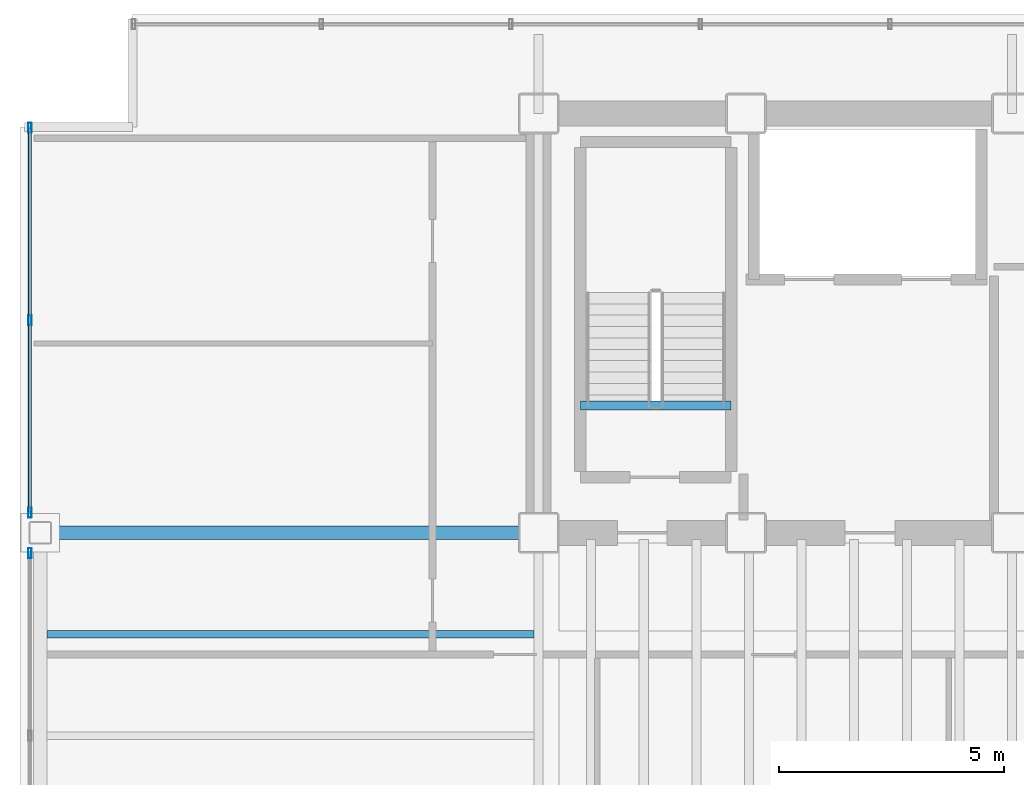
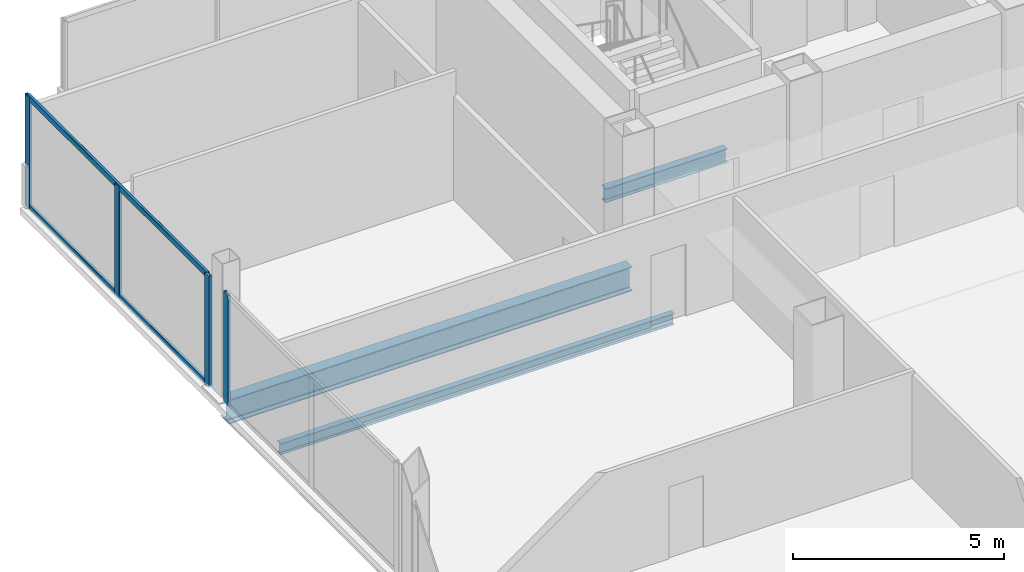
# One storey, part 7 of 20: 6 members, 3 beams, 2 elements without a shape of their own.
"""IFC4 building model written with IfcOpenShell, lengths in metres."""

from ifc_helpers import new_model, si_unit, direction, frame, origin, origin_2d, place, context, subcontext, project, spatial, hollow_rectangle, i_section, extrude, material, material_profile, profile_set, type_object, element, aggregate, save


model = new_model("IFC4")

# Units and contexts
model_context = context("Model", 3, precision=1e-05, world=origin(), true_north=direction((0.0, 1.0)))
body_context = subcontext(model_context, "Body", "Model", "MODEL_VIEW")
ifc_project = project(units=[si_unit("LENGTHUNIT", "METRE"), si_unit("AREAUNIT", "SQUARE_METRE"), si_unit("VOLUMEUNIT", "CUBIC_METRE"), si_unit("PLANEANGLEUNIT", "RADIAN"), si_unit("MASSUNIT", "GRAM", prefix="KILO")], contexts=[model_context])

# Site, building, storey
site_placement = place(None, origin())
site = spatial("IfcSite", under=ifc_project, at=site_placement, CompositionType="ELEMENT")
building_placement = place(site_placement, origin())
building = spatial("IfcBuilding", under=site, at=building_placement, Name="Noeulbin Bourse Tower", CompositionType="ELEMENT")
storey_placement = place(building_placement, frame((0.0, 0.0, 118.800048828125)))
storey = spatial("IfcBuildingStorey", under=building, at=storey_placement, Name="L29", CompositionType="ELEMENT", Elevation=118.800048828125)

# Beams
ifc_material_1 = material(Name="Steel S355", Category="steel")
ifc_material_profile_1 = material_profile(ifc_material_1, i_section(OverallWidth=0.300048828125, OverallDepth=0.699951171875, WebThickness=0.012939453125, FlangeThickness=0.02392578125, FilletRadius=0.02392578125, at=origin_2d()), Name="H-700x300x13x24", Category="LoadBearing")
ifc_profile_set_1 = profile_set([ifc_material_profile_1], Name="Steel S355")
beam_type_1 = type_object("IfcBeamType", Name="BM-GRD-700", PredefinedType="USERDEFINED", material=ifc_profile_set_1)
beam_1_placement = place(storey_placement, frame((2.449951171875, 29.0, -0.530029296875), z_axis=(1.0, 0.0, 0.0), x_axis=(0.0, 1.0, 0.0)))
element("IfcBeam", 1, at=beam_1_placement, inside=storey, type_object=beam_type_1, Name="Tower Primary Girder EW L29-2.1", ObjectType="GIRDER", PredefinedType="USERDEFINED", context=body_context, shape_type="SweptSolid", body=[
    extrude(i_section(OverallWidth=0.300048828125, OverallDepth=0.699951171875, WebThickness=0.012939453125, FlangeThickness=0.02392578125, FilletRadius=0.02392578125, at=origin_2d()), origin(), (0.0, 0.0, 1.0), 11.050048828125),
])
ifc_material_profile_2 = material_profile(ifc_material_1, i_section(OverallWidth=0.159912109375, OverallDepth=0.320068359375, WebThickness=0.006591796875, FlangeThickness=0.010009765625, FilletRadius=0.012939453125, at=origin_2d()), Name="H-320x160x6.5x10", Category="LoadBearing")
ifc_profile_set_2 = profile_set([ifc_material_profile_2], Name="Steel S355")
beam_type_2 = type_object("IfcBeamType", Name="BM-JST-320", PredefinedType="JOIST", material=ifc_profile_set_2)
beam_2_placement = place(storey_placement, frame((2.60009765625, 26.75, -0.340087890625), z_axis=(1.0, 0.0, 0.0), x_axis=(0.0, 1.0, 0.0)))
element("IfcBeam", 2, at=beam_2_placement, inside=storey, type_object=beam_type_2, Name="Wing Composite Joist L29-W49", PredefinedType="JOIST", context=body_context, shape_type="SweptSolid", body=[
    extrude(i_section(OverallWidth=0.159912109375, OverallDepth=0.320068359375, WebThickness=0.006591796875, FlangeThickness=0.010009765625, FilletRadius=0.012939453125, at=origin_2d()), origin(), (0.0, 0.0, 1.0), 10.7998046875),
])
ifc_material_profile_3 = material_profile(ifc_material_1, i_section(OverallWidth=0.199951171875, OverallDepth=0.39990234375, WebThickness=0.008056640625, FlangeThickness=0.012939453125, FilletRadius=0.01611328125, at=origin_2d()), Name="H-400x200x8x13", Category="LoadBearing")
ifc_profile_set_3 = profile_set([ifc_material_profile_3], Name="Steel S355")
beam_type_3 = type_object("IfcBeamType", Name="BM-SEC-400", PredefinedType="BEAM", material=ifc_profile_set_3)
beam_3_placement = place(storey_placement, frame((14.429931640625, 31.820068359375, -0.199951171875), z_axis=(1.0, 0.0, 0.0), x_axis=(0.0, 1.0, 0.0)))
element("IfcBeam", 3, at=beam_3_placement, inside=storey, type_object=beam_type_3, Name="Stair Threshold Trimmer Beam ST1-L29", PredefinedType="BEAM", context=body_context, shape_type="SweptSolid", body=[
    extrude(i_section(OverallWidth=0.199951171875, OverallDepth=0.39990234375, WebThickness=0.008056640625, FlangeThickness=0.012939453125, FilletRadius=0.01611328125, at=origin_2d()), origin(), (0.0, 0.0, 1.0), 3.340087890625),
])

# Curtain wall, member
ifc_material_2 = material(Name="Dark Tinted Triple Glazing", Category="glass")
curtain_wall_type = type_object("IfcCurtainWallType", Name="CW-SYS-3", PredefinedType="NOTDEFINED", material=ifc_material_2)
curtain_wall_1_placement = place(storey_placement, origin())
curtain_wall_1 = element("IfcCurtainWall", 4, at=curtain_wall_1_placement, inside=storey, type_object=curtain_wall_type, Name="Unitised Curtain Wall CW-L29-W-S2", PredefinedType="NOTDEFINED")
ifc_material_3 = material(Name="Anodised Aluminium 6063-T6", Category="aluminium")
ifc_material_profile_4 = material_profile(ifc_material_3, hollow_rectangle(XDim=0.074951171875, YDim=0.219970703125, WallThickness=0.0048828125, InnerFilletRadius=0.00244140625, OuterFilletRadius=0.0048828125, at=origin_2d()), Name="ALU-MULL-75x220x5", Category="LoadBearing")
ifc_profile_set_4 = profile_set([ifc_material_profile_4], Name="Anodised Aluminium 6063-T6")
member_type_1 = type_object("IfcMemberType", Name="CW-SYS-3-MUL", PredefinedType="MULLION", material=ifc_profile_set_4)
member_1_placement = place(storey_placement, frame((2.219970703125, 28.550048828125, -0.02001953125), z_axis=(0.0, 0.0, 1.0), x_axis=(1.0, 0.0, 0.0)))
member_1 = element("IfcMember", 5, at=member_1_placement, type_object=member_type_1, Name="Curtain Wall Mullion CW-L29-W-S2-M02", PredefinedType="MULLION", context=body_context, shape_type="SweptSolid", body=[
    extrude(hollow_rectangle(XDim=0.074951171875, YDim=0.219970703125, WallThickness=0.0048828125, InnerFilletRadius=0.00244140625, OuterFilletRadius=0.0048828125, at=origin_2d()), origin(), (0.0, 0.0, 1.0), 3.219970703125),
])
aggregate(curtain_wall_1, [member_1])

# Curtain wall, members
curtain_wall_2_placement = place(storey_placement, origin())
curtain_wall_2 = element("IfcCurtainWall", 6, at=curtain_wall_2_placement, inside=storey, type_object=curtain_wall_type, Name="Unitised Curtain Wall CW-L29-W-S3", PredefinedType="NOTDEFINED")
member_2_placement = place(storey_placement, frame((2.219970703125, 29.449951171875, -0.02001953125), z_axis=(0.0, 0.0, 1.0), x_axis=(1.0, 0.0, 0.0)))
member_2 = element("IfcMember", 7, at=member_2_placement, type_object=member_type_1, Name="Curtain Wall Mullion CW-L29-W-S3-M00", PredefinedType="MULLION", context=body_context, shape_type="SweptSolid", body=[
    extrude(hollow_rectangle(XDim=0.074951171875, YDim=0.219970703125, WallThickness=0.0048828125, InnerFilletRadius=0.00244140625, OuterFilletRadius=0.0048828125, at=origin_2d()), origin(), (0.0, 0.0, 1.0), 3.219970703125),
])
member_3_placement = place(storey_placement, frame((2.219970703125, 33.715087890625, -0.02001953125), z_axis=(0.0, 0.0, 1.0), x_axis=(1.0, 0.0, 0.0)))
member_3 = element("IfcMember", 8, at=member_3_placement, type_object=member_type_1, Name="Curtain Wall Mullion CW-L29-W-S3-M01", PredefinedType="MULLION", context=body_context, shape_type="SweptSolid", body=[
    extrude(hollow_rectangle(XDim=0.074951171875, YDim=0.219970703125, WallThickness=0.0048828125, InnerFilletRadius=0.00244140625, OuterFilletRadius=0.0048828125, at=origin_2d()), origin(), (0.0, 0.0, 1.0), 3.219970703125),
])
member_4_placement = place(storey_placement, frame((2.219970703125, 37.97998046875, -0.02001953125), z_axis=(0.0, 0.0, 1.0), x_axis=(1.0, 0.0, 0.0)))
member_4 = element("IfcMember", 9, at=member_4_placement, type_object=member_type_1, Name="Curtain Wall Mullion CW-L29-W-S3-M02", PredefinedType="MULLION", context=body_context, shape_type="SweptSolid", body=[
    extrude(hollow_rectangle(XDim=0.074951171875, YDim=0.219970703125, WallThickness=0.0048828125, InnerFilletRadius=0.00244140625, OuterFilletRadius=0.0048828125, at=origin_2d()), origin(), (0.0, 0.0, 1.0), 3.219970703125),
])
ifc_material_profile_5 = material_profile(ifc_material_3, hollow_rectangle(XDim=0.074951171875, YDim=0.159912109375, WallThickness=0.0048828125, InnerFilletRadius=0.00244140625, OuterFilletRadius=0.0048828125, at=origin_2d()), Name="ALU-TRAN-75x160x5", Category="LoadBearing")
ifc_profile_set_5 = profile_set([ifc_material_profile_5], Name="Anodised Aluminium 6063-T6")
member_type_2 = type_object("IfcMemberType", Name="CW-SYS-3-TRN", PredefinedType="USERDEFINED", material=ifc_profile_set_5)
member_5_placement = place(storey_placement, frame((2.219970703125, 29.4599609375, 0.010009765625), z_axis=(0.0, 1.0, 0.0), x_axis=(-1.0, 0.0, 0.0)))
member_5 = element("IfcMember", 10, at=member_5_placement, type_object=member_type_2, Name="Curtain Wall Transom CW-L29-W-S3-T00", ObjectType="TRANSOM", PredefinedType="USERDEFINED", context=body_context, shape_type="SweptSolid", body=[
    extrude(hollow_rectangle(XDim=0.074951171875, YDim=0.159912109375, WallThickness=0.0048828125, InnerFilletRadius=0.00244140625, OuterFilletRadius=0.0048828125, at=origin_2d()), origin(), (0.0, 0.0, 1.0), 8.510009765625),
])
member_6_placement = place(storey_placement, frame((2.219970703125, 29.4599609375, 3.169921875), z_axis=(0.0, 1.0, 0.0), x_axis=(-1.0, 0.0, 0.0)))
member_6 = element("IfcMember", 11, at=member_6_placement, type_object=member_type_2, Name="Curtain Wall Transom CW-L29-W-S3-T01", ObjectType="TRANSOM", PredefinedType="USERDEFINED", context=body_context, shape_type="SweptSolid", body=[
    extrude(hollow_rectangle(XDim=0.074951171875, YDim=0.159912109375, WallThickness=0.0048828125, InnerFilletRadius=0.00244140625, OuterFilletRadius=0.0048828125, at=origin_2d()), origin(), (0.0, 0.0, 1.0), 8.510009765625),
])
aggregate(curtain_wall_2, [member_2, member_3, member_4, member_5, member_6])

save(model, "model.ifc")
